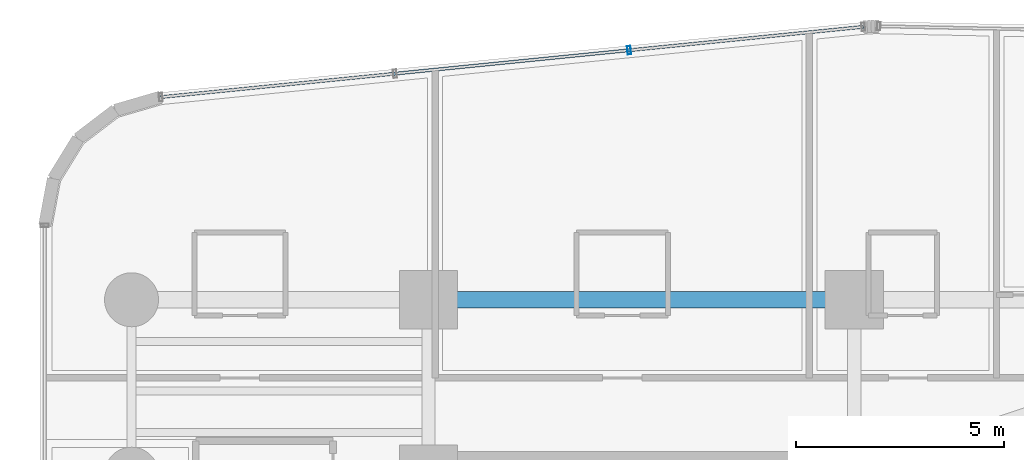
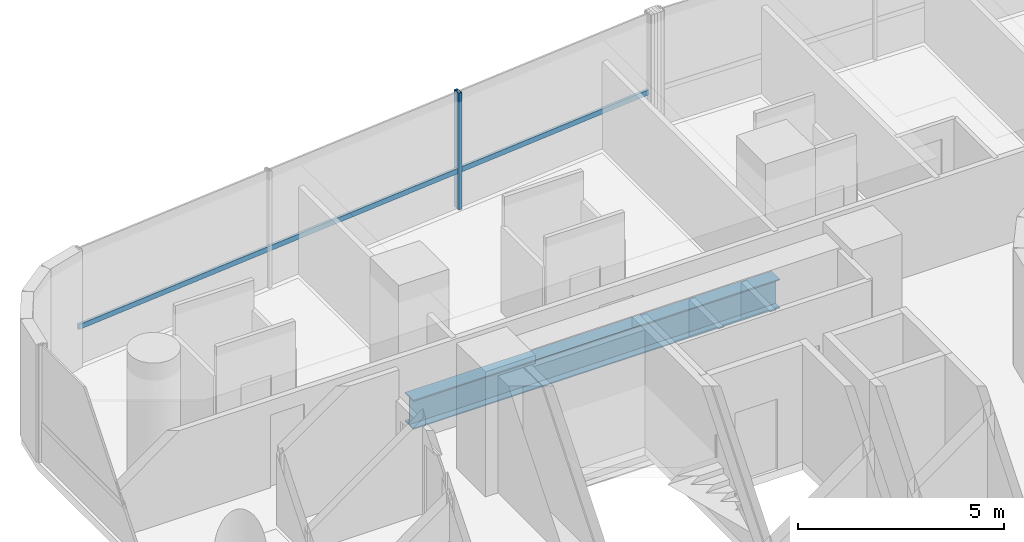
# One storey, part 19 of 42: 2 members, 1 beam, 1 element without a shape of its own.
"""IFC4 building model written with IfcOpenShell, lengths in metres."""

from ifc_helpers import new_model, si_unit, direction, frame, origin, origin_2d, place, context, subcontext, project, spatial, hollow_rectangle, i_section, extrude, source, transform, mapped, material, material_profile, profile_set, type_object, element, aggregate, save


model = new_model("IFC4")

# Units and contexts
model_context = context("Model", 3, precision=1e-05, world=origin(), true_north=direction((0.0, 1.0)))
body_context = subcontext(model_context, "Body", "Model", "MODEL_VIEW")
ifc_project = project(units=[si_unit("LENGTHUNIT", "METRE"), si_unit("AREAUNIT", "SQUARE_METRE"), si_unit("VOLUMEUNIT", "CUBIC_METRE"), si_unit("PLANEANGLEUNIT", "RADIAN"), si_unit("MASSUNIT", "GRAM", prefix="KILO")], contexts=[model_context])

# Site, building, storey
site_placement = place(None, origin())
site = spatial("IfcSite", under=ifc_project, at=site_placement, CompositionType="ELEMENT")
building_placement = place(site_placement, origin())
building = spatial("IfcBuilding", under=site, at=building_placement, Name="Valdorenza Pilgrim Sanctuary Tower", CompositionType="ELEMENT")
storey_placement = place(building_placement, frame((0.0, 0.0, 29.699951171875)))
storey = spatial("IfcBuildingStorey", under=building, at=storey_placement, Name="L06", CompositionType="ELEMENT", Elevation=29.699951171875)

# Beam
ifc_material_1 = material(Name="Steel ASTM A992 Grade 50", Category="steel")
ifc_material_profile_1 = material_profile(ifc_material_1, i_section(OverallWidth=0.39990234375, OverallDepth=0.862060546875, WebThickness=0.019775390625, FlangeThickness=0.032470703125, at=origin_2d()), Name="W33X221")
ifc_profile_set_1 = profile_set([ifc_material_profile_1], Name="Steel ASTM A992 Grade 50")
beam_type = type_object("IfcBeamType", Name="STR-BM-GRD-W33", PredefinedType="BEAM", material=ifc_profile_set_1)
shared_shape_1 = source(origin(), body_context, "Body", "SweptSolid", [
    extrude(i_section(OverallWidth=0.39990234375, OverallDepth=0.862060546875, WebThickness=0.019775390625, FlangeThickness=0.032470703125, at=origin_2d()), origin(), (0.0, 0.0, 1.0), 10.25),
])
beam_placement = place(storey_placement, frame((-22.64990234375, 14.800048828125, -0.6708984375), z_axis=(1.0, 0.0, 0.0), x_axis=(0.0, 1.0, 0.0)))
element("IfcBeam", 1, at=beam_placement, inside=storey, type_object=beam_type, Name="L06 Floor Girder CA-XC-N2", PredefinedType="BEAM", context=body_context, shape_type="MappedRepresentation", body=[
    mapped(shared_shape_1, transform((0.0, 0.0, 0.0), x_axis=(1.0, 0.0, 0.0), y_axis=(0.0, 1.0, 0.0), z_axis=(0.0, 0.0, 1.0), scale=1.0)),
])

# Curtain wall, members
ifc_material_2 = material(Name="Curtain-wall IGU glazing", Category="glass")
curtain_wall_type = type_object("IfcCurtainWallType", Name="CW-SYS-02", PredefinedType="NOTDEFINED", material=ifc_material_2)
curtain_wall_placement = place(storey_placement, origin())
curtain_wall = element("IfcCurtainWall", 2, at=curtain_wall_placement, inside=storey, type_object=curtain_wall_type, Name="L06 Curtain Wall CW-L06-1-6", PredefinedType="NOTDEFINED")
ifc_material_3 = material(Name="Anodised aluminium AW-6060", Category="aluminium")
ifc_material_profile_2 = material_profile(ifc_material_3, hollow_rectangle(XDim=0.0849609375, YDim=0.199951171875, WallThickness=0.0048828125, at=origin_2d()), Name="ALU-M 200x85x5")
ifc_profile_set_2 = profile_set([ifc_material_profile_2], Name="Anodised aluminium AW-6060")
member_type_1 = type_object("IfcMemberType", Name="CW-MUL-02", PredefinedType="MULLION", material=ifc_profile_set_2)
shared_shape_2 = source(origin(), body_context, "Body", "SweptSolid", [
    extrude(hollow_rectangle(XDim=0.0849609375, YDim=0.199951171875, WallThickness=0.0048828125, at=origin_2d()), origin(), (0.0, 0.0, 1.0), 3.4599609375),
])
member_1_placement = place(storey_placement, frame((-17.820556640625, 20.8076171875, 0.0), z_axis=(0.0, 0.0, 1.0), x_axis=(0.995038220239, 0.099493418189, 0.0)))
member_1 = element("IfcMember", 3, at=member_1_placement, type_object=member_type_1, Name="CW-L06-1-6 Mullion 3", PredefinedType="MULLION", context=body_context, shape_type="MappedRepresentation", body=[
    mapped(shared_shape_2, transform((0.0, 0.0, 0.0), x_axis=(1.0, 0.0, 0.0), y_axis=(0.0, 1.0, 0.0), z_axis=(0.0, 0.0, 1.0), scale=1.0)),
])
ifc_material_profile_3 = material_profile(ifc_material_3, hollow_rectangle(XDim=0.074951171875, YDim=0.14990234375, WallThickness=0.00390625, at=origin_2d()), Name="ALU-T 150x75x4")
ifc_profile_set_3 = profile_set([ifc_material_profile_3], Name="Anodised aluminium AW-6060")
member_type_2 = type_object("IfcMemberType", Name="CW-TRN-02", PredefinedType="USERDEFINED", material=ifc_profile_set_3)
shared_shape_3 = source(origin(), body_context, "Body", "SweptSolid", [
    extrude(hollow_rectangle(XDim=0.074951171875, YDim=0.14990234375, WallThickness=0.00390625, at=origin_2d()), origin(), (0.0, 0.0, 1.0), 17.0),
])
member_2_placement = place(storey_placement, frame((-29.097412109375, 19.6796875, 1.1201171875), z_axis=(0.99503662143, 0.099509406661, 0.0), x_axis=(-0.099509406661, 0.99503662143, 0.0)))
member_2 = element("IfcMember", 4, at=member_2_placement, type_object=member_type_2, Name="CW-L06-1-6 Transom 1", ObjectType="TRANSOM", PredefinedType="USERDEFINED", context=body_context, shape_type="MappedRepresentation", body=[
    mapped(shared_shape_3, transform((0.0, 0.0, 0.0), x_axis=(1.0, 0.0, 0.0), y_axis=(0.0, 1.0, 0.0), z_axis=(0.0, 0.0, 1.0), scale=1.0)),
])
aggregate(curtain_wall, [member_1, member_2])

save(model, "model.ifc")
